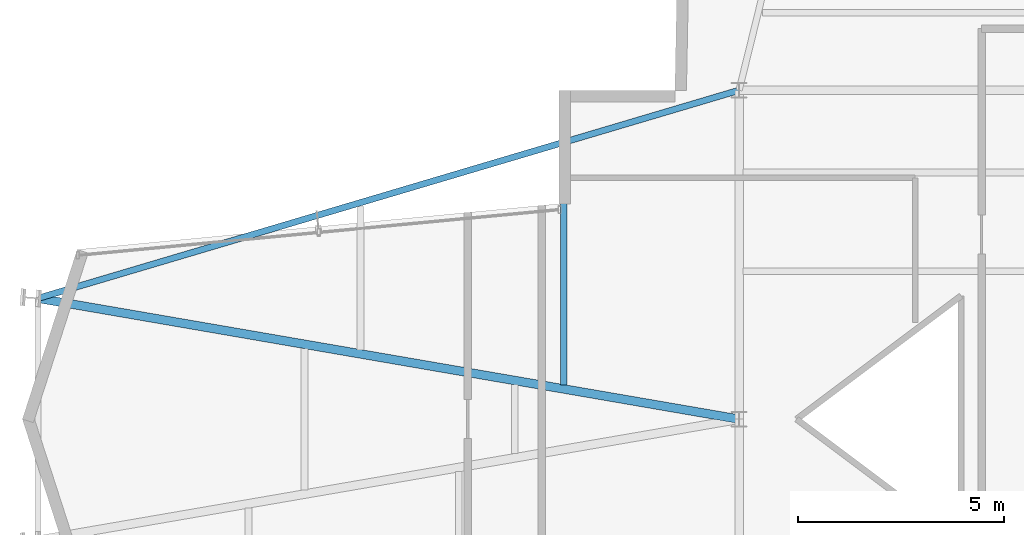
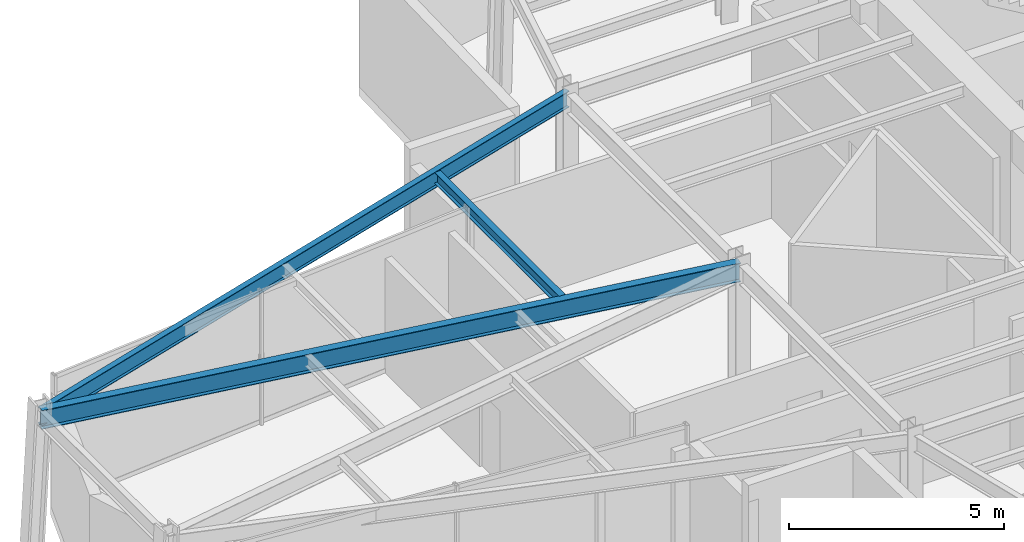
# One storey, part 9 of 21: 3 beams.
"""IFC4 building model written with IfcOpenShell, lengths in metres."""

import ifcopenshell
import ifcopenshell.guid

model = None  # the IFC model being written
_history = None  # IfcOwnerHistory: only IFC2X3 demands one
_inside = {}  # id of a spatial element -> (the spatial element, [elements in it])
_under = {}  # id of a project, library or spatial element -> (it, [spatial elements below it])
_declared = {}  # id of a project -> (the project, [libraries it declares])
_typed = {}  # id of a type object -> (the type object, [elements of that type])
_made_of = {}  # id of a material, layer set ... -> (it, [elements and type objects made of it])


def new_model(schema):
    """Start an empty IFC model of exactly this schema.

    Asked for "IFC4X3", IfcOpenShell would pick the latest addendum, in which some entities
    have other attributes; the version numbers below select the first issue.
    IFC2X3 requires an IfcOwnerHistory on every rooted entity: one is made here for all.
    """
    global model, _history
    if schema == "IFC4X3":
        model = ifcopenshell.file(schema_version=(4, 3, 0, 0))
    else:
        model = ifcopenshell.file(schema=schema)
    _inside.clear()
    _under.clear()
    _declared.clear()
    _typed.clear()
    _made_of.clear()
    _history = None
    if model.schema == "IFC2X3":
        org = make("IfcOrganization", Name="unknown")
        user = make(
            "IfcPersonAndOrganization",
            ThePerson=make("IfcPerson", FamilyName="unknown"),
            TheOrganization=org,
        )
        app = make(
            "IfcApplication",
            ApplicationDeveloper=org,
            Version="unknown",
            ApplicationFullName="unknown",
            ApplicationIdentifier="unknown",
        )
        _history = make(
            "IfcOwnerHistory",
            OwningUser=user,
            OwningApplication=app,
            ChangeAction="ADDED",
            CreationDate=0,
        )
    return model


def make(cls, **values):
    """One entity of the class cls with the attributes given. An attribute that is None is left unset."""
    return model.create_entity(
        cls, **{name: value for name, value in values.items() if value is not None}
    )


def rooted(cls, **values):
    """An entity with a GlobalId (a new one), such as an element, a storey or a relation."""
    return make(cls, GlobalId=ifcopenshell.guid.new(), OwnerHistory=_history, **values)


def si_unit(unit_type, name, prefix=None):
    """IfcSIUnit, for example si_unit("LENGTHUNIT", "METRE", prefix="MILLI")."""
    return make("IfcSIUnit", UnitType=unit_type, Prefix=prefix, Name=name)


def assignment(units):
    """IfcUnitAssignment: the units of a project."""
    return None if units is None else make("IfcUnitAssignment", Units=units)


def point(xyz):
    """IfcCartesianPoint."""
    return None if xyz is None else make("IfcCartesianPoint", Coordinates=xyz)


def direction(xyz):
    """IfcDirection."""
    return None if xyz is None else make("IfcDirection", DirectionRatios=xyz)


def frame(location, z_axis=None, x_axis=None):
    """IfcAxis2Placement3D, a coordinate frame: its origin and axes. An axis left out is left unset."""
    return make(
        "IfcAxis2Placement3D",
        Location=point(location),
        Axis=direction(z_axis),
        RefDirection=direction(x_axis),
    )


def frame_2d(location, x_axis=None):
    """IfcAxis2Placement2D, a coordinate frame in the plane: its origin and x axis."""
    return make(
        "IfcAxis2Placement2D", Location=point(location), RefDirection=direction(x_axis)
    )


def origin():
    """The frame at (0, 0, 0) with its axes left unset."""
    return frame((0.0, 0.0, 0.0))


def origin_2d():
    """The frame at (0, 0) in the plane with its x axis left unset."""
    return frame_2d((0.0, 0.0))


def place(relative_to, where):
    """IfcLocalPlacement: puts the frame where relative to a parent placement (None: the world)."""
    return make(
        "IfcLocalPlacement", PlacementRelTo=relative_to, RelativePlacement=where
    )


def context(
    kind, dimensions, precision=None, world=None, true_north=None, identifier=None
):
    """IfcGeometricRepresentationContext, for example the 3D "Model" context."""
    return make(
        "IfcGeometricRepresentationContext",
        ContextIdentifier=identifier,
        ContextType=kind,
        CoordinateSpaceDimension=dimensions,
        Precision=precision,
        WorldCoordinateSystem=world,
        TrueNorth=true_north,
    )


def subcontext(parent, identifier, kind, view, scale=None):
    """IfcGeometricRepresentationSubContext, for example "Body" below "Model"."""
    return make(
        "IfcGeometricRepresentationSubContext",
        ContextIdentifier=identifier,
        ContextType=kind,
        ParentContext=parent,
        TargetScale=scale,
        TargetView=view,
    )


def project(units=None, contexts=None):
    """IfcProject with its units and contexts."""
    return rooted(
        "IfcProject",
        Name="project",
        RepresentationContexts=contexts,
        UnitsInContext=assignment(units),
    )


def spatial(cls, under=None, at=None, **own):
    """A site, building, storey or space (cls), placed at a placement, below another one or the project."""
    s = rooted(cls, ObjectPlacement=at, **own)
    if under is not None:
        _under.setdefault(under.id(), (under, []))[1].append(s)
    return s


def profile(cls, at=None, kind="AREA", **sizes):
    """A parametric profile (cls). Its sizes go by their IFC names, for example OverallWidth=200.0."""
    return make(cls, ProfileType=kind, Position=at, **sizes)


def i_section(**sizes):
    """IfcIShapeProfileDef."""
    return profile("IfcIShapeProfileDef", **sizes)


def extrude(swept, where, along, depth):
    """IfcExtrudedAreaSolid: the profile swept, set in the frame where, extruded along a direction by depth."""
    return make(
        "IfcExtrudedAreaSolid",
        SweptArea=swept,
        Position=where,
        ExtrudedDirection=direction(along),
        Depth=depth,
    )


def shape(context_of_items, identifier, shape_type, items):
    """IfcShapeRepresentation: the items that make up one representation, for example the "Body"."""
    return make(
        "IfcShapeRepresentation",
        ContextOfItems=context_of_items,
        RepresentationIdentifier=identifier,
        RepresentationType=shape_type,
        Items=items,
    )


def material(Name=None, Category=None):
    """IfcMaterial."""
    return make("IfcMaterial", Name=Name, Category=Category)


def material_profile(
    of_material, cross_section, Name=None, Category=None, Priority=None
):
    """IfcMaterialProfile: a cross section and its material."""
    return make(
        "IfcMaterialProfile",
        Name=Name,
        Material=of_material,
        Profile=cross_section,
        Priority=Priority,
        Category=Category,
    )


def profile_set(profiles, Name=None, composite=None):
    """IfcMaterialProfileSet."""
    return make(
        "IfcMaterialProfileSet",
        Name=Name,
        MaterialProfiles=profiles,
        CompositeProfile=composite,
    )


def made_of(thing, what):
    """Note that an element or type object is made of a material, layer set ...; save() writes the relation."""
    if what is not None:
        _made_of.setdefault(what.id(), (what, []))[1].append(thing)
    return thing


def type_object(cls, material=None, **own):
    """A type object (cls), such as IfcWallType, which elements share."""
    return made_of(rooted(cls, **own), material)


def element(
    cls,
    number,
    at=None,
    inside=None,
    cuts=None,
    type_object=None,
    material=None,
    context=None,
    identifier="Body",
    shape_type=None,
    held_by="IfcProductDefinitionShape",
    body=None,
    shapes=None,
    **own,
):
    """One element of the class cls, such as IfcWall. Its Tag is "e" and its number.

    at: its placement. inside: the storey or other place that contains it. cuts: it is an
    opening in that element (IfcRelVoidsElement). A single representation is given by context,
    identifier, shape_type and body (its items); several are given by shapes. held_by: the class
    of the entity that holds the representations. save() writes the other relations.
    """
    e = rooted(cls, Tag="e%d" % number, ObjectPlacement=at, **own)
    if body is not None:
        shapes = [shape(context, identifier, shape_type, body)]
    if shapes is not None:
        e.Representation = make(held_by, Representations=shapes)
    if inside is not None:
        _inside.setdefault(inside.id(), (inside, []))[1].append(e)
    if cuts is not None:
        rooted(
            "IfcRelVoidsElement", RelatingBuildingElement=cuts, RelatedOpeningElement=e
        )
    if type_object is not None:
        _typed.setdefault(type_object.id(), (type_object, []))[1].append(e)
    return made_of(e, material)


def aggregate(whole, parts):
    """IfcRelAggregates: a whole, such as a stair, and the parts it consists of."""
    return rooted("IfcRelAggregates", RelatingObject=whole, RelatedObjects=parts)


def save(model, path):
    """Write the relations noted so far, then the file.

    IfcRelAggregates (storeys below a building ...), IfcRelContainedInSpatialStructure (elements
    in a storey), IfcRelDefinesByType, IfcRelAssociatesMaterial and IfcRelDeclares: one each for
    every whole, place, type object, material and project.
    """
    for whole, parts in _under.values():
        aggregate(whole, parts)
    for where, things in _inside.values():
        rooted(
            "IfcRelContainedInSpatialStructure",
            RelatedElements=things,
            RelatingStructure=where,
        )
    for kind, things in _typed.values():
        rooted("IfcRelDefinesByType", RelatedObjects=things, RelatingType=kind)
    for what, things in _made_of.values():
        rooted("IfcRelAssociatesMaterial", RelatedObjects=things, RelatingMaterial=what)
    for by, libraries in _declared.values():
        rooted("IfcRelDeclares", RelatingContext=by, RelatedDefinitions=libraries)
    model.write(path)


model = new_model("IFC4")

# Units and contexts
model_context = context("Model", 3, precision=1e-05, world=origin(), true_north=direction((0.0, 1.0)))
body_context = subcontext(model_context, "Body", "Model", "MODEL_VIEW")
ifc_project = project(units=[si_unit("LENGTHUNIT", "METRE"), si_unit("AREAUNIT", "SQUARE_METRE"), si_unit("VOLUMEUNIT", "CUBIC_METRE"), si_unit("PLANEANGLEUNIT", "RADIAN"), si_unit("MASSUNIT", "GRAM", prefix="KILO")], contexts=[model_context])

# Site, building, storey
site_placement = place(None, origin())
site = spatial("IfcSite", under=ifc_project, at=site_placement, CompositionType="ELEMENT")
building_placement = place(site_placement, origin())
building = spatial("IfcBuilding", under=site, at=building_placement, Name="Veymaron Broadcast Tower", CompositionType="ELEMENT")
storey_placement = place(building_placement, frame((0.0, 0.0, 232.35009765625)))
storey = spatial("IfcBuildingStorey", under=building, at=storey_placement, Name="L54", CompositionType="ELEMENT", Elevation=232.35009765625)

# Beams
ifc_material = material(Name="Structural steel ASTM A992 Gr 50", Category="steel")
ifc_material_profile_1 = material_profile(ifc_material, i_section(OverallWidth=0.2099609375, OverallDepth=0.537109375, WebThickness=0.010986328125, FlangeThickness=0.017333984375, at=origin_2d()), Name="W530X101")
ifc_profile_set_1 = profile_set([ifc_material_profile_1], Name="Structural steel ASTM A992 Gr 50")
beam_type_1 = type_object("IfcBeamType", Name="BM-FG3", PredefinedType="BEAM", material=ifc_profile_set_1)
beam_1_placement = place(storey_placement, frame((14.14794921875, 26.93994140625, 3.521484375), z_axis=(0.985460685974, -0.169903609142, 0.0), x_axis=(0.169903609142, 0.985460685974, 0.0)))
element("IfcBeam", 1, at=beam_1_placement, inside=storey, type_object=beam_type_1, Name="L54 primary structural floor girder", PredefinedType="BEAM", context=body_context, shape_type="SweptSolid", body=[
    extrude(i_section(OverallWidth=0.2099609375, OverallDepth=0.537109375, WebThickness=0.010986328125, FlangeThickness=0.017333984375, at=origin_2d()), origin(), (0.0, 0.0, 1.0), 17.303466796875),
])
ifc_material_profile_2 = material_profile(ifc_material, i_section(OverallWidth=0.1650390625, OverallDepth=0.31005859375, WebThickness=0.005859375, FlangeThickness=0.009765625, at=origin_2d()), Name="W310X39")
ifc_profile_set_2 = profile_set([ifc_material_profile_2], Name="Structural steel ASTM A992 Gr 50")
beam_type_2 = type_object("IfcBeamType", Name="BM-JS3", PredefinedType="JOIST", material=ifc_profile_set_2)
beam_2_placement = place(storey_placement, frame((26.93701171875, 24.8349609375, 3.635009765625), z_axis=(0.0, 1.0, 0.0), x_axis=(-1.0, 0.0, 0.0)))
element("IfcBeam", 2, at=beam_2_placement, inside=storey, type_object=beam_type_2, Name="L54 Arm-A secondary joist 2N", PredefinedType="JOIST", context=body_context, shape_type="SweptSolid", body=[
    extrude(i_section(OverallWidth=0.1650390625, OverallDepth=0.31005859375, WebThickness=0.005859375, FlangeThickness=0.009765625, at=origin_2d()), origin(), (0.0, 0.0, 1.0), 5.800048828125),
])
ifc_material_profile_3 = material_profile(ifc_material, i_section(OverallWidth=0.154052734375, OverallDepth=0.458984375, WebThickness=0.009033203125, FlangeThickness=0.015380859375, at=origin_2d()), Name="W460X68")
ifc_profile_set_3 = profile_set([ifc_material_profile_3], Name="Structural steel ASTM A992 Gr 50")
beam_type_3 = type_object("IfcBeamType", Name="BM-SP2", PredefinedType="SPANDREL", material=ifc_profile_set_3)
beam_3_placement = place(storey_placement, frame((14.14794921875, 26.93994140625, 3.560302734375), z_axis=(0.958681440193, 0.284481802984, 0.0), x_axis=(-0.284481802984, 0.958681440193, 0.0)))
element("IfcBeam", 3, at=beam_3_placement, inside=storey, type_object=beam_type_3, Name="L54 primary structural floor girder", PredefinedType="SPANDREL", context=body_context, shape_type="SweptSolid", body=[
    extrude(i_section(OverallWidth=0.154052734375, OverallDepth=0.458984375, WebThickness=0.009033203125, FlangeThickness=0.015380859375, at=origin_2d()), origin(), (0.0, 0.0, 1.0), 17.786865234375),
])

save(model, "model.ifc")
